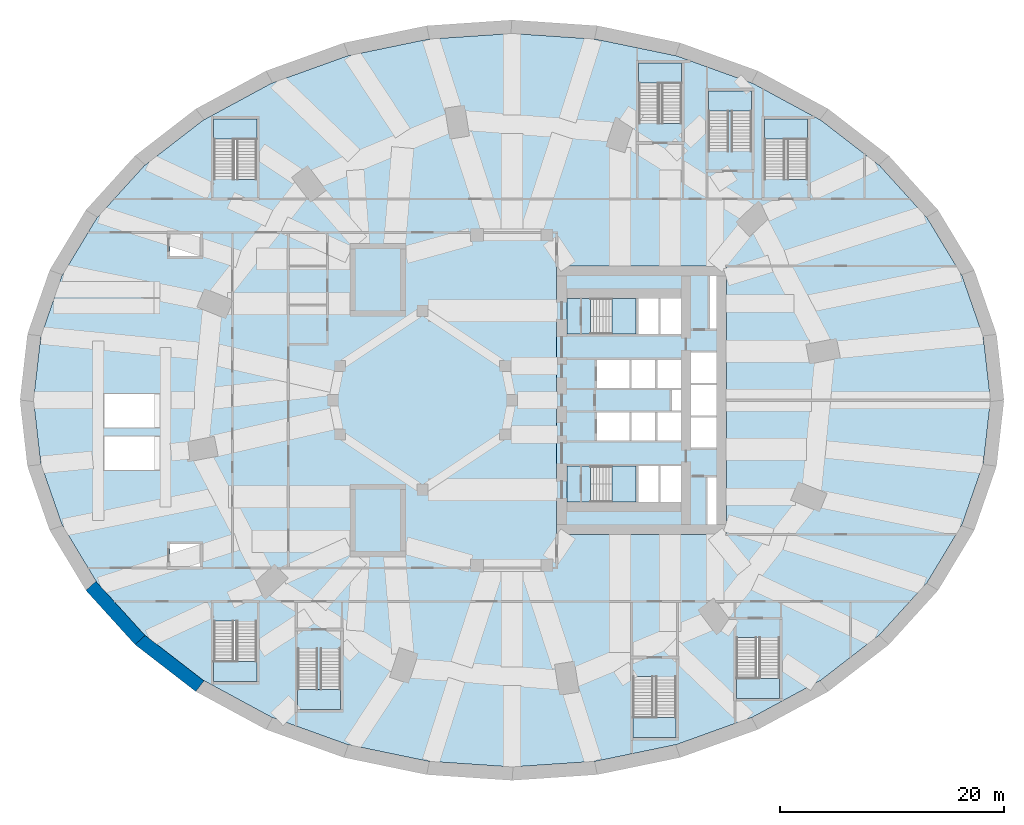
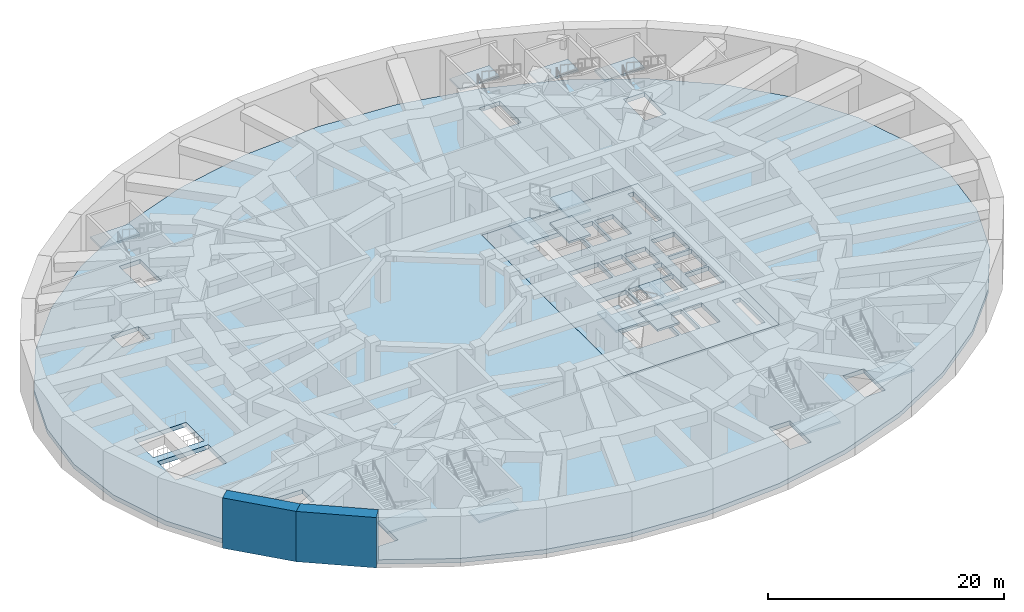
# One storey, part 3 of 14: 16 slabs, 2 walls, 10 elements without a shape of their own.
"""IFC4 building model written with IfcOpenShell, lengths in metres."""

from ifc_helpers import new_model, si_unit, direction, frame, frame_2d, origin, place, context, subcontext, project, spatial, polyline, rectangle, outline, extrude, material, layer, layer_set, type_object, element, aggregate, save


model = new_model("IFC4")

# Units and contexts
model_context = context("Model", 3, precision=1e-05, world=origin(), true_north=direction((0.0, 1.0)))
body_context = subcontext(model_context, "Body", "Model", "MODEL_VIEW")
ifc_project = project(units=[si_unit("LENGTHUNIT", "METRE"), si_unit("AREAUNIT", "SQUARE_METRE"), si_unit("VOLUMEUNIT", "CUBIC_METRE"), si_unit("PLANEANGLEUNIT", "RADIAN"), si_unit("MASSUNIT", "GRAM", prefix="KILO")], contexts=[model_context])

# Site, building, storey
site_placement = place(None, origin())
site = spatial("IfcSite", under=ifc_project, at=site_placement, CompositionType="ELEMENT")
building_placement = place(site_placement, origin())
building = spatial("IfcBuilding", under=site, at=building_placement, Name="Taillehof Tower", CompositionType="ELEMENT")
storey_placement = place(building_placement, frame((0.0, 0.0, -5.199951171875)))
storey = spatial("IfcBuildingStorey", under=building, at=storey_placement, Name="B1", CompositionType="ELEMENT", Elevation=-5.199951171875)

# Slabs
ifc_material_1 = material(Name="Concrete C40/50", Category="concrete")
ifc_layer_1 = layer(ifc_material_1, 0.449951171875)
ifc_layer_set_1 = layer_set([ifc_layer_1], Name="Core floor slab C40/50 450")
slab_type_1 = type_object("IfcSlabType", Name="Core floor slab C40/50 450", PredefinedType="FLOOR", material=ifc_layer_set_1)
slab_1_placement = place(storey_placement, frame((0.0, 0.0, -0.449951171875)))
element("IfcSlab", 1, at=slab_1_placement, inside=storey, type_object=slab_type_1, Name="Core floor B1", PredefinedType="FLOOR", context=body_context, shape_type="SweptSolid", body=[
    extrude(outline(polyline([(4.0, -12.0), (4.0, 12.0), (19.199951171875, 12.0), (19.199951171875, -12.0), (4.0, -12.0)]), holes=[polyline([(7.00048828125, -9.10009765625), (11.10009765625, -9.10009765625), (11.10009765625, -5.89990234375), (7.00048828125, -5.89990234375), (7.00048828125, -9.10009765625)]), polyline([(13.10009765625, -9.10009765625), (13.10009765625, -5.89990234375), (11.300048828125, -5.89990234375), (11.300048828125, -9.10009765625), (13.10009765625, -9.10009765625)]), polyline([(10.5, -3.60009765625), (10.5, -1.10009765625), (7.60009765625, -1.10009765625), (7.60009765625, -3.60009765625), (10.5, -3.60009765625)]), polyline([(12.800048828125, -3.60009765625), (12.800048828125, -1.10009765625), (10.699951171875, -1.10009765625), (10.699951171875, -3.60009765625), (12.800048828125, -3.60009765625)]), polyline([(10.5, 1.10009765625), (10.5, 3.60009765625), (7.60009765625, 3.60009765625), (7.60009765625, 1.10009765625), (10.5, 1.10009765625)]), polyline([(12.800048828125, 1.10009765625), (12.800048828125, 3.60009765625), (10.699951171875, 3.60009765625), (10.699951171875, 1.10009765625), (12.800048828125, 1.10009765625)]), polyline([(15.10009765625, 1.10009765625), (15.10009765625, 3.60009765625), (13.0, 3.60009765625), (13.0, 1.10009765625), (15.10009765625, 1.10009765625)]), polyline([(11.300048828125, 5.89990234375), (13.10009765625, 5.89990234375), (13.10009765625, 9.10009765625), (11.300048828125, 9.10009765625), (11.300048828125, 5.89990234375)]), polyline([(7.00048828125, 5.89990234375), (11.10009765625, 5.89990234375), (11.10009765625, 9.10009765625), (7.00048828125, 9.10009765625), (7.00048828125, 5.89990234375)]), polyline([(18.300048828125, -11.10009765625), (18.300048828125, -6.89990234375), (17.5, -6.89990234375), (17.5, -11.10009765625), (18.300048828125, -11.10009765625)]), polyline([(15.10009765625, -9.10009765625), (15.10009765625, -5.89990234375), (13.300048828125, -5.89990234375), (13.300048828125, -9.10009765625), (15.10009765625, -9.10009765625)]), polyline([(18.300048828125, -4.25), (18.300048828125, -1.550048828125), (16.0, -1.550048828125), (16.0, -4.25), (18.300048828125, -4.25)]), polyline([(15.10009765625, -3.60009765625), (15.10009765625, -1.10009765625), (13.0, -1.10009765625), (13.0, -3.60009765625), (15.10009765625, -3.60009765625)]), polyline([(15.10009765625, -0.89990234375), (15.10009765625, 0.89990234375), (14.300048828125, 0.89990234375), (14.300048828125, -0.89990234375), (15.10009765625, -0.89990234375)]), polyline([(18.300048828125, -1.35009765625), (18.300048828125, 1.35009765625), (16.0, 1.35009765625), (16.0, -1.35009765625), (18.300048828125, -1.35009765625)]), polyline([(18.300048828125, 1.550048828125), (18.300048828125, 4.25), (16.0, 4.25), (16.0, 1.550048828125), (18.300048828125, 1.550048828125)]), polyline([(13.300048828125, 5.89990234375), (15.10009765625, 5.89990234375), (15.10009765625, 9.10009765625), (13.300048828125, 9.10009765625), (13.300048828125, 5.89990234375)]), polyline([(17.699951171875, 6.39990234375), (18.300048828125, 6.39990234375), (18.300048828125, 11.10009765625), (17.699951171875, 11.10009765625), (17.699951171875, 6.39990234375)])]), origin(), (0.0, 0.0, 1.0), 0.449951171875),
])
ifc_material_2 = material(Name="Concrete C40/50", Category="concrete")
ifc_layer_2 = layer(ifc_material_2, 0.449951171875)
ifc_layer_set_2 = layer_set([ifc_layer_2], Name="Floor slab 450")
slab_type_2 = type_object("IfcSlabType", Name="Floor slab 450", PredefinedType="FLOOR", material=ifc_layer_set_2)
slab_2_placement = place(storey_placement, frame((0.0, 0.0, -0.449951171875)))
element("IfcSlab", 2, at=slab_2_placement, inside=storey, type_object=slab_type_2, Name="Floor slab B1", PredefinedType="FLOOR", context=body_context, shape_type="SweptSolid", body=[
    extrude(outline(polyline([(42.792236328125, 0.0), (42.154052734375, 5.63671875), (40.25390625, 11.116455078125), (37.1376953125, 16.280517578125), (32.88818359375, 20.97021484375), (27.6259765625, 25.036376953125), (21.50830078125, 28.346435546875), (14.72216796875, 30.791748046875), (7.4775390625, 32.291748046875), (0.0, 32.79736328125), (-7.4775390625, 32.291748046875), (-14.72216796875, 30.791748046875), (-21.50830078125, 28.346435546875), (-27.6259765625, 25.036376953125), (-32.88818359375, 20.97021484375), (-37.1376953125, 16.280517578125), (-40.25390625, 11.116455078125), (-42.154052734375, 5.63671875), (-42.792236328125, 0.0), (-42.154052734375, -5.63671875), (-40.25390625, -11.116455078125), (-37.1376953125, -16.280517578125), (-32.88818359375, -20.97021484375), (-27.6259765625, -25.036376953125), (-21.50830078125, -28.346435546875), (-14.72216796875, -30.791748046875), (-7.4775390625, -32.291748046875), (0.0, -32.79736328125), (7.4775390625, -32.291748046875), (14.72216796875, -30.791748046875), (21.50830078125, -28.346435546875), (27.6259765625, -25.036376953125), (32.88818359375, -20.97021484375), (37.1376953125, -16.280517578125), (40.25390625, -11.116455078125), (42.154052734375, -5.63671875), (42.792236328125, 0.0)]), holes=[polyline([(-26.675048828125, -19.7255859375), (-24.625, -19.7255859375), (-24.625, -23.364990234375), (-26.675048828125, -23.364990234375), (-26.675048828125, -19.7255859375)]), polyline([(-27.89990234375, -12.875), (-27.89990234375, -14.875), (-30.60009765625, -14.875), (-30.60009765625, -12.875), (-27.89990234375, -12.875)]), polyline([(-31.5, -6.300048828125), (-36.5, -6.300048828125), (-36.5, -3.199951171875), (-31.5, -3.199951171875), (-31.5, -6.300048828125)]), polyline([(-36.5, -2.5), (-36.5, 0.60009765625), (-31.5, 0.60009765625), (-31.5, -2.5), (-36.5, -2.5)]), polyline([(-30.60009765625, 12.875), (-30.60009765625, 14.875), (-27.89990234375, 14.875), (-27.89990234375, 12.875), (-30.60009765625, 12.875)]), polyline([(-22.824951171875, 19.7255859375), (-24.875, 19.7255859375), (-24.875, 23.364990234375), (-22.824951171875, 23.364990234375), (-22.824951171875, 19.7255859375)]), polyline([(12.875, -24.7255859375), (12.875, -28.364990234375), (10.824951171875, -28.364990234375), (10.824951171875, -24.7255859375), (12.875, -24.7255859375)]), polyline([(22.125, -21.2255859375), (22.125, -24.864990234375), (20.074951171875, -24.864990234375), (20.074951171875, -21.2255859375), (22.125, -21.2255859375)]), polyline([(19.199951171875, -12.0), (4.0, -12.0), (4.0, 12.0), (19.199951171875, 12.0), (19.199951171875, -12.0)]), polyline([(24.375, 19.7255859375), (24.375, 23.364990234375), (26.425048828125, 23.364990234375), (26.425048828125, 19.7255859375), (24.375, 19.7255859375)]), polyline([(13.125, 24.7255859375), (13.125, 28.364990234375), (15.175048828125, 28.364990234375), (15.175048828125, 24.7255859375), (13.125, 24.7255859375)])]), origin(), (0.0, 0.0, 1.0), 0.449951171875),
])

# Stair, slab
ifc_material_3 = material(Name="Concrete C30/37", Category="concrete")
stair_type_1 = type_object("IfcStairType", Name="Escape stair 1800 mm", PredefinedType="HALF_TURN_STAIR", material=ifc_material_3)
stair_1_placement = place(storey_placement, origin())
stair_1 = element("IfcStair", 3, at=stair_1_placement, inside=storey, type_object=stair_type_1, Name="Escape stair ES1", PredefinedType="HALF_TURN_STAIR")
ifc_material_4 = material(Name="Concrete C30/37", Category="concrete")
ifc_layer_3 = layer(ifc_material_4, 0.199951171875)
ifc_layer_set_3 = layer_set([ifc_layer_3], Name="Stair landing 200 mm")
slab_type_3 = type_object("IfcSlabType", Name="Stair landing 200 mm", PredefinedType="LANDING", material=ifc_layer_set_3)
slab_3_placement = place(storey_placement, frame((0.0, 0.0, 2.39990234375)))
slab_3 = element("IfcSlab", 4, at=slab_3_placement, type_object=slab_type_3, Name="ES1 landing 1", PredefinedType="LANDING", context=body_context, shape_type="SweptSolid", body=[
    extrude(outline(polyline([(-26.675048828125, 23.364990234375), (-22.824951171875, 23.364990234375), (-22.824951171875, 25.1650390625), (-26.675048828125, 25.1650390625), (-26.675048828125, 23.364990234375)])), origin(), (0.0, 0.0, 1.0), 0.199951171875),
])
aggregate(stair_1, [slab_3])

stair_2_placement = place(storey_placement, origin())
stair_2 = element("IfcStair", 5, at=stair_2_placement, inside=storey, type_object=stair_type_1, Name="Escape stair ES2", PredefinedType="HALF_TURN_STAIR")
slab_4_placement = place(storey_placement, frame((0.0, 0.0, 2.39990234375)))
slab_4 = element("IfcSlab", 6, at=slab_4_placement, type_object=slab_type_3, Name="ES2 landing 1", PredefinedType="LANDING", context=body_context, shape_type="SweptSolid", body=[
    extrude(outline(polyline([(-22.824951171875, -23.364990234375), (-26.675048828125, -23.364990234375), (-26.675048828125, -25.1650390625), (-22.824951171875, -25.1650390625), (-22.824951171875, -23.364990234375)])), origin(), (0.0, 0.0, 1.0), 0.199951171875),
])
aggregate(stair_2, [slab_4])

stair_3_placement = place(storey_placement, origin())
stair_3 = element("IfcStair", 7, at=stair_3_placement, inside=storey, type_object=stair_type_1, Name="Escape stair ES3", PredefinedType="HALF_TURN_STAIR")
slab_5_placement = place(storey_placement, frame((0.0, 0.0, 2.39990234375)))
slab_5 = element("IfcSlab", 8, at=slab_5_placement, type_object=slab_type_3, Name="ES3 landing 1", PredefinedType="LANDING", context=body_context, shape_type="SweptSolid", body=[
    extrude(outline(polyline([(11.324951171875, 28.364990234375), (15.175048828125, 28.364990234375), (15.175048828125, 30.1650390625), (11.324951171875, 30.1650390625), (11.324951171875, 28.364990234375)])), origin(), (0.0, 0.0, 1.0), 0.199951171875),
])
aggregate(stair_3, [slab_5])

stair_4_placement = place(storey_placement, origin())
stair_4 = element("IfcStair", 9, at=stair_4_placement, inside=storey, type_object=stair_type_1, Name="Escape stair ES4", PredefinedType="HALF_TURN_STAIR")
slab_6_placement = place(storey_placement, frame((0.0, 0.0, 2.39990234375)))
slab_6 = element("IfcSlab", 10, at=slab_6_placement, type_object=slab_type_3, Name="ES4 landing 1", PredefinedType="LANDING", context=body_context, shape_type="SweptSolid", body=[
    extrude(outline(polyline([(23.925048828125, -24.864990234375), (20.074951171875, -24.864990234375), (20.074951171875, -26.6650390625), (23.925048828125, -26.6650390625), (23.925048828125, -24.864990234375)])), origin(), (0.0, 0.0, 1.0), 0.199951171875),
])
aggregate(stair_4, [slab_6])

stair_5_placement = place(storey_placement, origin())
stair_5 = element("IfcStair", 11, at=stair_5_placement, inside=storey, type_object=stair_type_1, Name="Escape stair ES5", PredefinedType="HALF_TURN_STAIR")
slab_7_placement = place(storey_placement, frame((0.0, 0.0, 2.39990234375)))
slab_7 = element("IfcSlab", 12, at=slab_7_placement, type_object=slab_type_3, Name="ES5 landing 1", PredefinedType="LANDING", context=body_context, shape_type="SweptSolid", body=[
    extrude(outline(polyline([(22.574951171875, 23.364990234375), (26.425048828125, 23.364990234375), (26.425048828125, 25.1650390625), (22.574951171875, 25.1650390625), (22.574951171875, 23.364990234375)])), origin(), (0.0, 0.0, 1.0), 0.199951171875),
])
aggregate(stair_5, [slab_7])

stair_6_placement = place(storey_placement, origin())
stair_6 = element("IfcStair", 13, at=stair_6_placement, inside=storey, type_object=stair_type_1, Name="Escape stair ES6", PredefinedType="HALF_TURN_STAIR")
slab_8_placement = place(storey_placement, frame((0.0, 0.0, 2.39990234375)))
slab_8 = element("IfcSlab", 14, at=slab_8_placement, type_object=slab_type_3, Name="ES6 landing 1", PredefinedType="LANDING", context=body_context, shape_type="SweptSolid", body=[
    extrude(outline(polyline([(14.675048828125, -28.364990234375), (10.824951171875, -28.364990234375), (10.824951171875, -30.1650390625), (14.675048828125, -30.1650390625), (14.675048828125, -28.364990234375)])), origin(), (0.0, 0.0, 1.0), 0.199951171875),
])
aggregate(stair_6, [slab_8])

stair_7_placement = place(storey_placement, origin())
stair_7 = element("IfcStair", 15, at=stair_7_placement, inside=storey, type_object=stair_type_1, Name="Escape stair ES7", PredefinedType="HALF_TURN_STAIR")
slab_9_placement = place(storey_placement, frame((0.0, 0.0, 2.39990234375)))
slab_9 = element("IfcSlab", 16, at=slab_9_placement, type_object=slab_type_3, Name="ES7 landing 1", PredefinedType="LANDING", context=body_context, shape_type="SweptSolid", body=[
    extrude(outline(polyline([(17.574951171875, 25.864990234375), (21.425048828125, 25.864990234375), (21.425048828125, 27.6650390625), (17.574951171875, 27.6650390625), (17.574951171875, 25.864990234375)])), origin(), (0.0, 0.0, 1.0), 0.199951171875),
])
aggregate(stair_7, [slab_9])

stair_8_placement = place(storey_placement, origin())
stair_8 = element("IfcStair", 17, at=stair_8_placement, inside=storey, type_object=stair_type_1, Name="Escape stair ES8", PredefinedType="HALF_TURN_STAIR")
slab_10_placement = place(storey_placement, frame((0.0, 0.0, 2.39990234375)))
slab_10 = element("IfcSlab", 18, at=slab_10_placement, type_object=slab_type_3, Name="ES8 landing 1", PredefinedType="LANDING", context=body_context, shape_type="SweptSolid", body=[
    extrude(outline(polyline([(-15.324951171875, -25.864990234375), (-19.175048828125, -25.864990234375), (-19.175048828125, -27.6650390625), (-15.324951171875, -27.6650390625), (-15.324951171875, -25.864990234375)])), origin(), (0.0, 0.0, 1.0), 0.199951171875),
])
aggregate(stair_8, [slab_10])

# Stair, slabs
ifc_material_5 = material(Name="Concrete C40/50", Category="concrete")
stair_type_2 = type_object("IfcStairType", Name="Exit stair half-turn", PredefinedType="HALF_TURN_STAIR", material=ifc_material_5)
stair_9_placement = place(storey_placement, origin())
stair_9 = element("IfcStair", 19, at=stair_9_placement, inside=storey, type_object=stair_type_2, Name="Exit stair S1", PredefinedType="HALF_TURN_STAIR")
ifc_material_6 = material(Name="Concrete C40/50", Category="concrete")
ifc_layer_4 = layer(ifc_material_6, 0.2099609375)
ifc_layer_set_4 = layer_set([ifc_layer_4], Name="Stair landing C40/50 210")
slab_type_4 = type_object("IfcSlabType", Name="Stair landing C40/50 210", PredefinedType="LANDING", material=ifc_layer_set_4)
slab_11_placement = place(storey_placement, frame((0.0, 0.0, 1.08984375)))
slab_11 = element("IfcSlab", 20, at=slab_11_placement, type_object=slab_type_4, Name="S1 landing 1", PredefinedType="LANDING", context=body_context, shape_type="SweptSolid", body=[
    extrude(outline(polyline([(8.9599609375, 5.89990234375), (11.10009765625, 5.89990234375), (11.10009765625, 9.10009765625), (8.9599609375, 9.10009765625), (8.9599609375, 5.89990234375)])), origin(), (0.0, 0.0, 1.0), 0.210205078125),
])
slab_12_placement = place(storey_placement, frame((0.0, 0.0, 2.389892578125)))
slab_12 = element("IfcSlab", 21, at=slab_12_placement, type_object=slab_type_4, Name="S1 landing 2", PredefinedType="LANDING", context=body_context, shape_type="SweptSolid", body=[
    extrude(outline(polyline([(4.89990234375, 5.89990234375), (7.0, 5.89990234375), (7.0, 9.10009765625), (4.89990234375, 9.10009765625), (4.89990234375, 5.89990234375)])), origin(), (0.0, 0.0, 1.0), 0.2099609375),
])
slab_13_placement = place(storey_placement, frame((0.0, 0.0, 3.68994140625)))
slab_13 = element("IfcSlab", 22, at=slab_13_placement, type_object=slab_type_4, Name="S1 landing 3", PredefinedType="LANDING", context=body_context, shape_type="SweptSolid", body=[
    extrude(outline(polyline([(8.9599609375, 5.89990234375), (11.10009765625, 5.89990234375), (11.10009765625, 9.10009765625), (8.9599609375, 9.10009765625), (8.9599609375, 5.89990234375)])), origin(), (0.0, 0.0, 1.0), 0.2099609375),
])
aggregate(stair_9, [slab_11, slab_12, slab_13])

stair_10_placement = place(storey_placement, origin())
stair_10 = element("IfcStair", 23, at=stair_10_placement, inside=storey, type_object=stair_type_2, Name="Exit stair S2", PredefinedType="HALF_TURN_STAIR")
slab_14_placement = place(storey_placement, frame((0.0, 0.0, 1.08984375)))
slab_14 = element("IfcSlab", 24, at=slab_14_placement, type_object=slab_type_4, Name="S2 landing 1", PredefinedType="LANDING", context=body_context, shape_type="SweptSolid", body=[
    extrude(outline(polyline([(8.9599609375, -5.89990234375), (11.10009765625, -5.89990234375), (11.10009765625, -9.10009765625), (8.9599609375, -9.10009765625), (8.9599609375, -5.89990234375)])), origin(), (0.0, 0.0, 1.0), 0.210205078125),
])
slab_15_placement = place(storey_placement, frame((0.0, 0.0, 2.389892578125)))
slab_15 = element("IfcSlab", 25, at=slab_15_placement, type_object=slab_type_4, Name="S2 landing 2", PredefinedType="LANDING", context=body_context, shape_type="SweptSolid", body=[
    extrude(outline(polyline([(4.89990234375, -5.89990234375), (7.0, -5.89990234375), (7.0, -9.10009765625), (4.89990234375, -9.10009765625), (4.89990234375, -5.89990234375)])), origin(), (0.0, 0.0, 1.0), 0.2099609375),
])
slab_16_placement = place(storey_placement, frame((0.0, 0.0, 3.68994140625)))
slab_16 = element("IfcSlab", 26, at=slab_16_placement, type_object=slab_type_4, Name="S2 landing 3", PredefinedType="LANDING", context=body_context, shape_type="SweptSolid", body=[
    extrude(outline(polyline([(8.9599609375, -5.89990234375), (11.10009765625, -5.89990234375), (11.10009765625, -9.10009765625), (8.9599609375, -9.10009765625), (8.9599609375, -5.89990234375)])), origin(), (0.0, 0.0, 1.0), 0.2099609375),
])
aggregate(stair_10, [slab_14, slab_15, slab_16])

# Walls
ifc_material_7 = material(Name="Concrete C35/45", Category="concrete")
ifc_layer_5 = layer(ifc_material_7, 1.199951171875)
ifc_layer_set_5 = layer_set([ifc_layer_5], Name="Diaphragm wall 1200")
wall_type = type_object("IfcWallType", Name="Diaphragm wall 1200", PredefinedType="USERDEFINED", material=ifc_layer_set_5)
wall_1_placement = place(storey_placement, frame((-37.65673828125, -16.601318359375, 0.0), z_axis=(0.0, 0.0, 1.0), x_axis=(0.671487423502, -0.741015951299, 0.0)))
element("IfcWall", 27, at=wall_1_placement, inside=storey, type_object=wall_type, Name="Diaphragm wall DW22", ObjectType="Retaining wall", PredefinedType="USERDEFINED", context=body_context, shape_type="SweptSolid", body=[
    extrude(rectangle(XDim=6.545166015625, YDim=1.199951171875, at=frame_2d((3.2724609375, 0.0))), origin(), (0.0, 0.0, 1.0), 5.199951171875),
])
wall_2_placement = place(storey_placement, frame((-33.338623046875, -21.38037109375, 0.0), z_axis=(0.0, 0.0, 1.0), x_axis=(0.791286567459, -0.611445474396, 0.0)))
element("IfcWall", 28, at=wall_2_placement, inside=storey, type_object=wall_type, Name="Diaphragm wall DW23", ObjectType="Retaining wall", PredefinedType="USERDEFINED", context=body_context, shape_type="SweptSolid", body=[
    extrude(rectangle(XDim=6.85693359375, YDim=1.199951171875, at=frame_2d((3.428466796875, 0.0))), origin(), (0.0, 0.0, 1.0), 5.199951171875),
])

save(model, "model.ifc")
